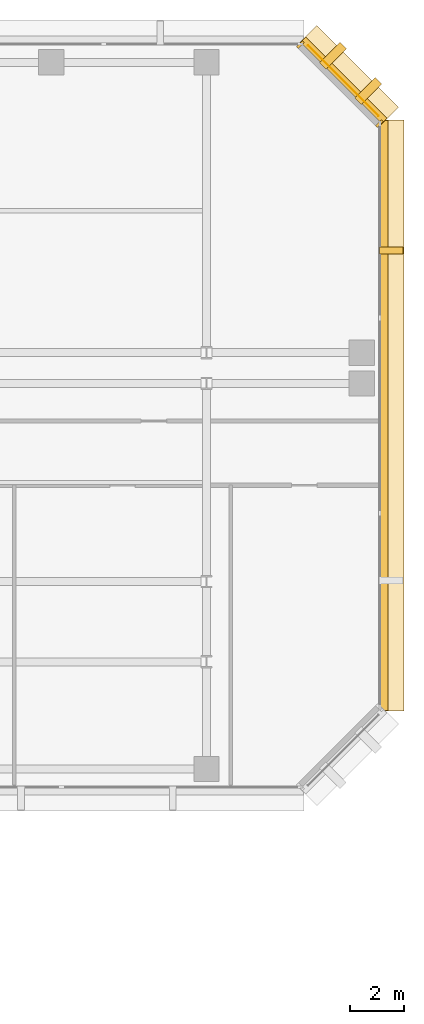
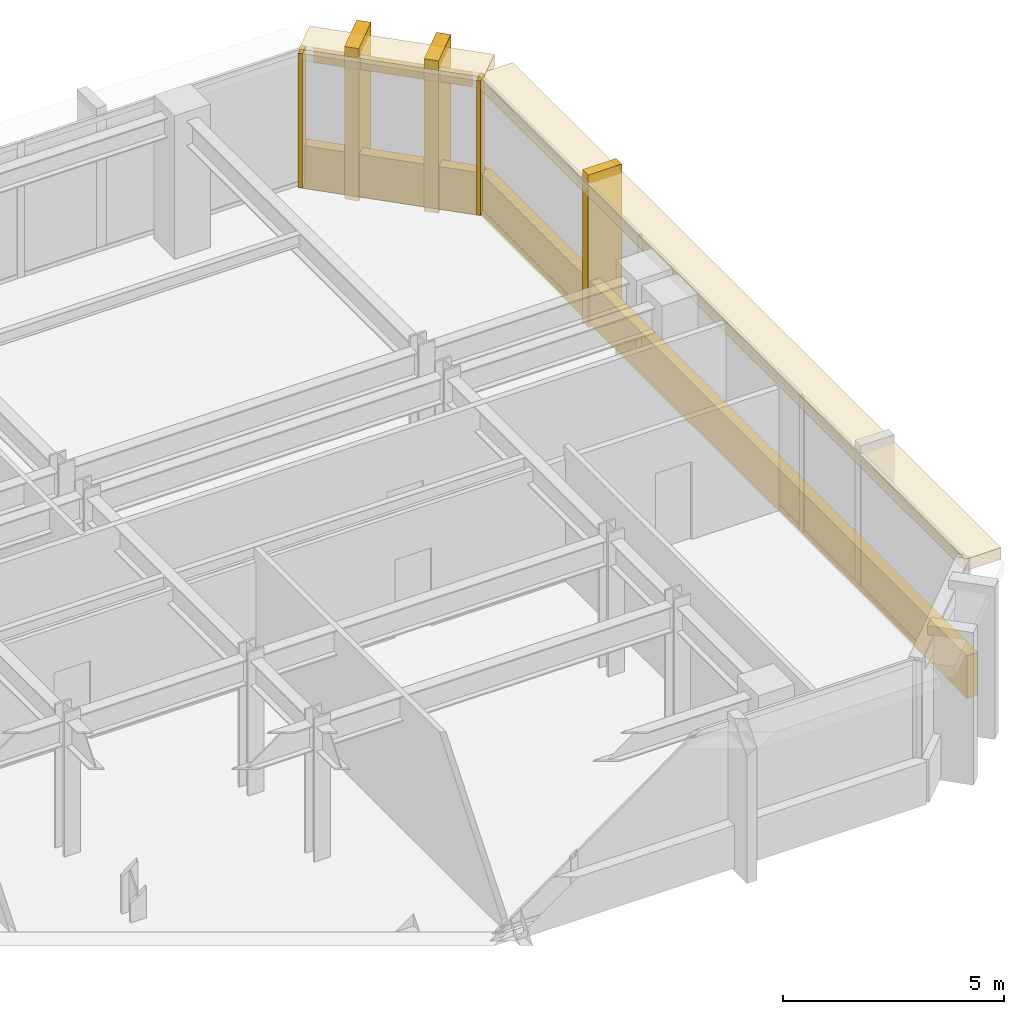
# One storey, part 13 of 13: 10 coverings.
"""IFC4 building model written with IfcOpenShell, lengths in metres."""

from ifc_helpers import new_model, si_unit, direction, frame, origin, origin_2d, place, context, subcontext, project, spatial, rectangle, extrude, material, layer, layer_set, type_object, element, save


model = new_model("IFC4")

# Units and contexts
model_context = context("Model", 3, precision=1e-05, world=origin(), true_north=direction((0.0, 1.0)))
body_context = subcontext(model_context, "Body", "Model", "MODEL_VIEW")
ifc_project = project(units=[si_unit("LENGTHUNIT", "METRE"), si_unit("AREAUNIT", "SQUARE_METRE"), si_unit("VOLUMEUNIT", "CUBIC_METRE"), si_unit("PLANEANGLEUNIT", "RADIAN"), si_unit("MASSUNIT", "GRAM", prefix="KILO")], contexts=[model_context])

# Site, building, storey
site_placement = place(None, origin())
site = spatial("IfcSite", under=ifc_project, at=site_placement, CompositionType="ELEMENT")
building_placement = place(site_placement, origin())
building = spatial("IfcBuilding", under=site, at=building_placement, Name="Kefirva Bronze Tower", CompositionType="ELEMENT")
storey_placement = place(building_placement, frame((0.0, 0.0, 102.6298828125)))
storey = spatial("IfcBuildingStorey", under=building, at=storey_placement, Name="L24", CompositionType="ELEMENT", Elevation=102.6298828125)

# Coverings
ifc_material = material(Name="Bronze anodised aluminium", Category="aluminium")
ifc_layer_1 = layer(ifc_material, 0.02001953125, Name="Bronze anodised aluminium")
ifc_layer_set_1 = layer_set([ifc_layer_1], Name="Bronze anodised aluminium")
covering_type_1 = type_object("IfcCoveringType", Name="Anodised Bronze Spandrel Cladding 20mm", PredefinedType="CLADDING", material=ifc_layer_set_1)
covering_1_placement = place(storey_placement, frame((56.0400390625, 32.0, -0.15966796875), z_axis=(0.0, 0.0, 1.0), x_axis=(0.0, 1.0, 0.0)))
element("IfcCovering", 1, at=covering_1_placement, inside=storey, type_object=covering_type_1, Name="L24 Streamline Horizontal Spandrel Band 10", PredefinedType="CLADDING", context=body_context, shape_type="SweptSolid", body=[
    extrude(rectangle(XDim=22.0400390625, YDim=0.280029296875, at=origin_2d()), origin(), (0.0, 0.0, 1.0), 1.179931640625),
])
covering_2_placement = place(storey_placement, frame((54.507080078125, 44.507080078125, 3.290283203125), z_axis=(0.0, 0.0, 1.0), x_axis=(-0.707106781187, 0.707106781187, 0.0)))
element("IfcCovering", 2, at=covering_2_placement, inside=storey, type_object=covering_type_1, Name="L24 Bronze Spandrel Cladding 8", PredefinedType="CLADDING", context=body_context, shape_type="SweptSolid", body=[
    extrude(rectangle(XDim=3.719482421875, YDim=0.02001953125, at=origin_2d()), origin(), (0.0, 0.0, 1.0), 0.39990234375),
])
for number, where, z_axis, x_axis, name in (
    (3, (55.862060546875, 42.91162109375, 0.000244140625), (0.0, 0.0, 1.0), (-0.707106781187, 0.707106781187, 0.0), "L24 Facade Joint Closure Panel 8S"),
    (4, (52.91162109375, 45.862060546875, 0.000244140625), (0.0, 0.0, 1.0), (-0.707106781187, 0.707106781187, 0.0), "L24 Facade Joint Closure Panel 8E"),
):
    element("IfcCovering", number, at=place(storey_placement, frame(where, z_axis=z_axis, x_axis=x_axis)), inside=storey, type_object=covering_type_1, Name=name, PredefinedType="CLADDING", context=body_context, shape_type="SweptSolid", body=[
        extrude(rectangle(XDim=0.10009765625, YDim=0.320068359375, at=origin_2d()), origin(), (0.0, 0.0, 1.0), 3.7099609375),
    ])
covering_3_placement = place(storey_placement, frame((54.5283203125, 44.5283203125, -0.15966796875), z_axis=(0.0, 0.0, 1.0), x_axis=(-0.707106781187, 0.707106781187, 0.0)))
element("IfcCovering", 5, at=covering_3_placement, inside=storey, type_object=covering_type_1, Name="L24 Streamline Horizontal Spandrel Band 11", PredefinedType="CLADDING", context=body_context, shape_type="SweptSolid", body=[
    extrude(rectangle(XDim=4.28271484375, YDim=0.280029296875, at=origin_2d()), origin(), (0.0, 0.0, 1.0), 1.179931640625),
])
ifc_layer_2 = layer(ifc_material, 0.179931640625, Name="Bronze anodised aluminium")
ifc_layer_set_2 = layer_set([ifc_layer_2], Name="Bronze anodised aluminium")
covering_type_2 = type_object("IfcCoveringType", Name="Streamline Bronze Sunshade Eyebrow Cladding 180mm", PredefinedType="CLADDING", material=ifc_layer_set_2)
covering_4_placement = place(storey_placement, frame((56.31005859375, 32.0, 3.39013671875), z_axis=(0.0, 0.0, 1.0), x_axis=(0.0, 1.0, 0.0)))
element("IfcCovering", 6, at=covering_4_placement, inside=storey, type_object=covering_type_2, Name="L24 Streamline Bronze Sunshade Eyebrow 10", PredefinedType="CLADDING", context=body_context, shape_type="SweptSolid", body=[
    extrude(rectangle(XDim=22.080078125, YDim=0.93994140625, at=origin_2d()), origin(), (0.0, 0.0, 1.0), 0.320068359375),
])
covering_5_placement = place(storey_placement, frame((54.71923828125, 44.71923828125, 3.39013671875), z_axis=(0.0, 0.0, 1.0), x_axis=(-0.707106781187, 0.707106781187, 0.0)))
element("IfcCovering", 7, at=covering_5_placement, inside=storey, type_object=covering_type_2, Name="L24 Streamline Bronze Sunshade Eyebrow 11", PredefinedType="CLADDING", context=body_context, shape_type="SweptSolid", body=[
    extrude(rectangle(XDim=4.322509765625, YDim=0.93994140625, at=origin_2d()), origin(), (0.0, 0.0, 1.0), 0.320068359375),
])
ifc_layer_3 = layer(ifc_material, 0.260009765625, Name="Bronze anodised aluminium")
ifc_layer_set_3 = layer_set([ifc_layer_3], Name="Bronze anodised aluminium")
covering_type_3 = type_object("IfcCoveringType", Name="Unbroken Bronze Buttress Fin Cladding 260mm", PredefinedType="CLADDING", material=ifc_layer_set_3)
covering_6_placement = place(storey_placement, frame((56.300048828125, 38.159912109375, -0.249755859375), z_axis=(0.0, 0.0, 1.0), x_axis=(0.0, 1.0, 0.0)))
element("IfcCovering", 8, at=covering_6_placement, inside=storey, type_object=covering_type_3, Name="L24 Unbroken Vertical Bronze Rib Fin 16", PredefinedType="CLADDING", context=body_context, shape_type="SweptSolid", body=[
    extrude(rectangle(XDim=0.260009765625, YDim=0.8798828125, at=origin_2d()), origin(), (0.0, 0.0, 1.0), 4.2099609375),
])
for number, where, z_axis, x_axis, name in (
    (9, (55.44287109375, 44.122802734375, -0.249755859375), (0.0, 0.0, 1.0), (-0.707106781187, 0.707106781187, 0.0), "L24 Chamfered Corner Buttress Fin Cladding 17"),
    (10, (54.122802734375, 45.44287109375, -0.249755859375), (0.0, 0.0, 1.0), (-0.707106781187, 0.707106781187, 0.0), "L24 Chamfered Corner Buttress Fin Cladding 18"),
):
    element("IfcCovering", number, at=place(storey_placement, frame(where, z_axis=z_axis, x_axis=x_axis)), inside=storey, type_object=covering_type_3, Name=name, PredefinedType="CLADDING", context=body_context, shape_type="SweptSolid", body=[
        extrude(rectangle(XDim=0.340087890625, YDim=1.080078125, at=origin_2d()), origin(), (0.0, 0.0, 1.0), 4.2099609375),
    ])

save(model, "model.ifc")
